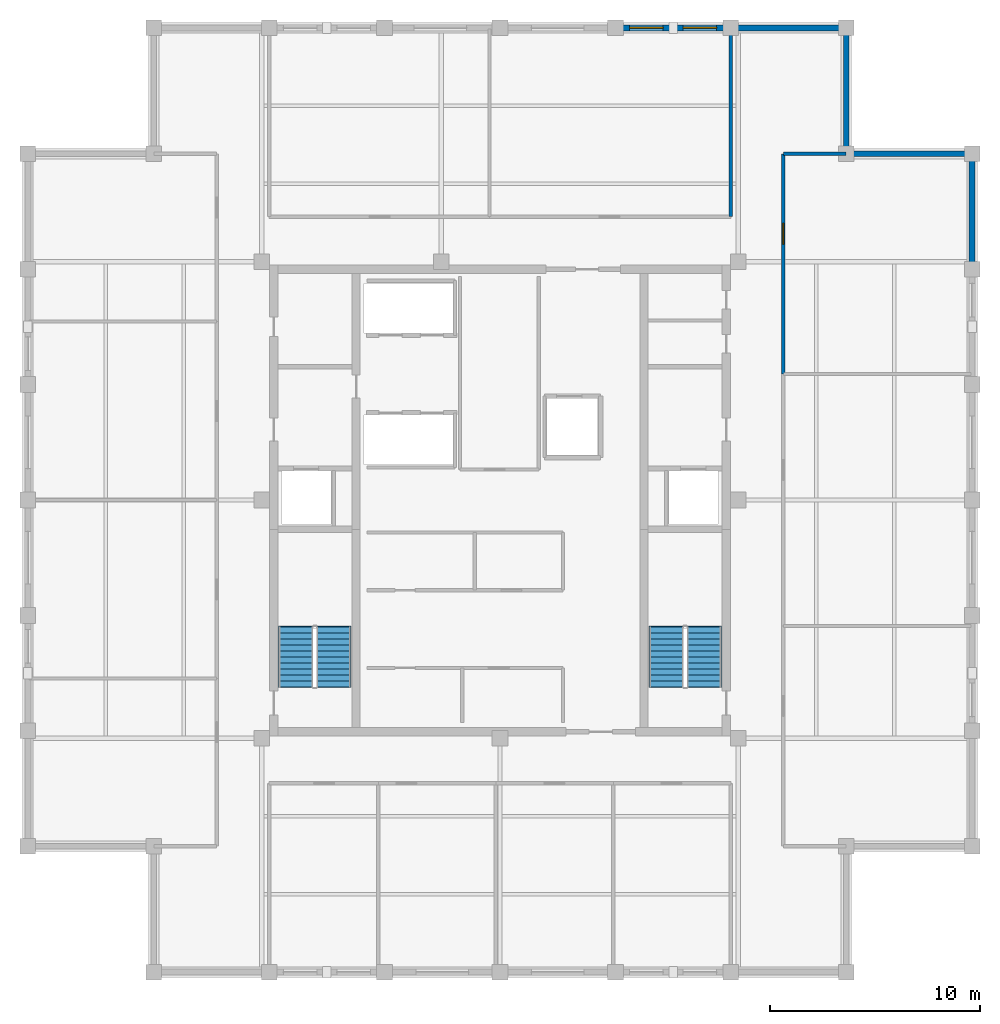
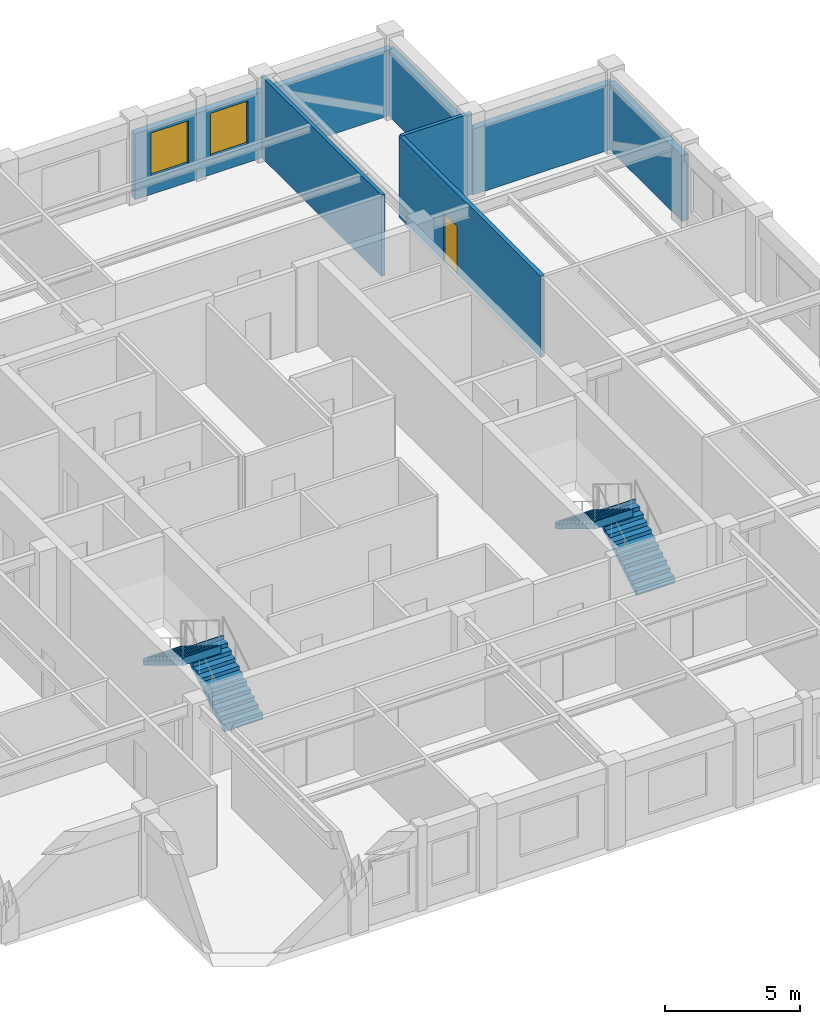
# One storey, part 5 of 6: 8 walls, 4 stair flights, 2 windows, 1 door, 3 openings, 2 elements without a shape of their own.
"""IFC4 building model written with IfcOpenShell, lengths in metres."""

import ifcopenshell
import ifcopenshell.guid

model = None  # the IFC model being written
_history = None  # IfcOwnerHistory: only IFC2X3 demands one
_inside = {}  # id of a spatial element -> (the spatial element, [elements in it])
_under = {}  # id of a project, library or spatial element -> (it, [spatial elements below it])
_declared = {}  # id of a project -> (the project, [libraries it declares])
_typed = {}  # id of a type object -> (the type object, [elements of that type])
_made_of = {}  # id of a material, layer set ... -> (it, [elements and type objects made of it])


def new_model(schema):
    """Start an empty IFC model of exactly this schema.

    Asked for "IFC4X3", IfcOpenShell would pick the latest addendum, in which some entities
    have other attributes; the version numbers below select the first issue.
    IFC2X3 requires an IfcOwnerHistory on every rooted entity: one is made here for all.
    """
    global model, _history
    if schema == "IFC4X3":
        model = ifcopenshell.file(schema_version=(4, 3, 0, 0))
    else:
        model = ifcopenshell.file(schema=schema)
    _inside.clear()
    _under.clear()
    _declared.clear()
    _typed.clear()
    _made_of.clear()
    _history = None
    if model.schema == "IFC2X3":
        org = make("IfcOrganization", Name="unknown")
        user = make(
            "IfcPersonAndOrganization",
            ThePerson=make("IfcPerson", FamilyName="unknown"),
            TheOrganization=org,
        )
        app = make(
            "IfcApplication",
            ApplicationDeveloper=org,
            Version="unknown",
            ApplicationFullName="unknown",
            ApplicationIdentifier="unknown",
        )
        _history = make(
            "IfcOwnerHistory",
            OwningUser=user,
            OwningApplication=app,
            ChangeAction="ADDED",
            CreationDate=0,
        )
    return model


def make(cls, **values):
    """One entity of the class cls with the attributes given. An attribute that is None is left unset."""
    return model.create_entity(
        cls, **{name: value for name, value in values.items() if value is not None}
    )


def rooted(cls, **values):
    """An entity with a GlobalId (a new one), such as an element, a storey or a relation."""
    return make(cls, GlobalId=ifcopenshell.guid.new(), OwnerHistory=_history, **values)


def si_unit(unit_type, name, prefix=None):
    """IfcSIUnit, for example si_unit("LENGTHUNIT", "METRE", prefix="MILLI")."""
    return make("IfcSIUnit", UnitType=unit_type, Prefix=prefix, Name=name)


def assignment(units):
    """IfcUnitAssignment: the units of a project."""
    return None if units is None else make("IfcUnitAssignment", Units=units)


def point(xyz):
    """IfcCartesianPoint."""
    return None if xyz is None else make("IfcCartesianPoint", Coordinates=xyz)


def direction(xyz):
    """IfcDirection."""
    return None if xyz is None else make("IfcDirection", DirectionRatios=xyz)


def frame(location, z_axis=None, x_axis=None):
    """IfcAxis2Placement3D, a coordinate frame: its origin and axes. An axis left out is left unset."""
    return make(
        "IfcAxis2Placement3D",
        Location=point(location),
        Axis=direction(z_axis),
        RefDirection=direction(x_axis),
    )


def frame_2d(location, x_axis=None):
    """IfcAxis2Placement2D, a coordinate frame in the plane: its origin and x axis."""
    return make(
        "IfcAxis2Placement2D", Location=point(location), RefDirection=direction(x_axis)
    )


def origin():
    """The frame at (0, 0, 0) with its axes left unset."""
    return frame((0.0, 0.0, 0.0))


def place(relative_to, where):
    """IfcLocalPlacement: puts the frame where relative to a parent placement (None: the world)."""
    return make(
        "IfcLocalPlacement", PlacementRelTo=relative_to, RelativePlacement=where
    )


def context(
    kind, dimensions, precision=None, world=None, true_north=None, identifier=None
):
    """IfcGeometricRepresentationContext, for example the 3D "Model" context."""
    return make(
        "IfcGeometricRepresentationContext",
        ContextIdentifier=identifier,
        ContextType=kind,
        CoordinateSpaceDimension=dimensions,
        Precision=precision,
        WorldCoordinateSystem=world,
        TrueNorth=true_north,
    )


def subcontext(parent, identifier, kind, view, scale=None):
    """IfcGeometricRepresentationSubContext, for example "Body" below "Model"."""
    return make(
        "IfcGeometricRepresentationSubContext",
        ContextIdentifier=identifier,
        ContextType=kind,
        ParentContext=parent,
        TargetScale=scale,
        TargetView=view,
    )


def project(units=None, contexts=None):
    """IfcProject with its units and contexts."""
    return rooted(
        "IfcProject",
        Name="project",
        RepresentationContexts=contexts,
        UnitsInContext=assignment(units),
    )


def spatial(cls, under=None, at=None, **own):
    """A site, building, storey or space (cls), placed at a placement, below another one or the project."""
    s = rooted(cls, ObjectPlacement=at, **own)
    if under is not None:
        _under.setdefault(under.id(), (under, []))[1].append(s)
    return s


def polyline(points):
    """IfcPolyline through the points."""
    return make("IfcPolyline", Points=[point(p) for p in points])


def profile(cls, at=None, kind="AREA", **sizes):
    """A parametric profile (cls). Its sizes go by their IFC names, for example OverallWidth=200.0."""
    return make(cls, ProfileType=kind, Position=at, **sizes)


def rectangle(**sizes):
    """IfcRectangleProfileDef."""
    return profile("IfcRectangleProfileDef", **sizes)


def outline(outer, holes=None, kind="AREA"):
    """IfcArbitraryClosedProfileDef: a profile drawn as a closed curve; with holes, ...WithVoids."""
    if holes is None:
        return make("IfcArbitraryClosedProfileDef", ProfileType=kind, OuterCurve=outer)
    return make(
        "IfcArbitraryProfileDefWithVoids",
        ProfileType=kind,
        OuterCurve=outer,
        InnerCurves=holes,
    )


def extrude(swept, where, along, depth):
    """IfcExtrudedAreaSolid: the profile swept, set in the frame where, extruded along a direction by depth."""
    return make(
        "IfcExtrudedAreaSolid",
        SweptArea=swept,
        Position=where,
        ExtrudedDirection=direction(along),
        Depth=depth,
    )


def shape(context_of_items, identifier, shape_type, items):
    """IfcShapeRepresentation: the items that make up one representation, for example the "Body"."""
    return make(
        "IfcShapeRepresentation",
        ContextOfItems=context_of_items,
        RepresentationIdentifier=identifier,
        RepresentationType=shape_type,
        Items=items,
    )


def material(Name=None, Category=None):
    """IfcMaterial."""
    return make("IfcMaterial", Name=Name, Category=Category)


def layer(
    of_material, thickness, ventilated=None, Name=None, Category=None, Priority=None
):
    """IfcMaterialLayer: one layer of a wall or slab, of a material (None: an air gap)."""
    return make(
        "IfcMaterialLayer",
        Material=of_material,
        LayerThickness=thickness,
        IsVentilated=ventilated,
        Name=Name,
        Category=Category,
        Priority=Priority,
    )


def layer_set(layers, Name=None):
    """IfcMaterialLayerSet."""
    return make("IfcMaterialLayerSet", MaterialLayers=layers, LayerSetName=Name)


def made_of(thing, what):
    """Note that an element or type object is made of a material, layer set ...; save() writes the relation."""
    if what is not None:
        _made_of.setdefault(what.id(), (what, []))[1].append(thing)
    return thing


def type_object(cls, material=None, **own):
    """A type object (cls), such as IfcWallType, which elements share."""
    return made_of(rooted(cls, **own), material)


def element(
    cls,
    number,
    at=None,
    inside=None,
    cuts=None,
    type_object=None,
    material=None,
    context=None,
    identifier="Body",
    shape_type=None,
    held_by="IfcProductDefinitionShape",
    body=None,
    shapes=None,
    **own,
):
    """One element of the class cls, such as IfcWall. Its Tag is "e" and its number.

    at: its placement. inside: the storey or other place that contains it. cuts: it is an
    opening in that element (IfcRelVoidsElement). A single representation is given by context,
    identifier, shape_type and body (its items); several are given by shapes. held_by: the class
    of the entity that holds the representations. save() writes the other relations.
    """
    e = rooted(cls, Tag="e%d" % number, ObjectPlacement=at, **own)
    if body is not None:
        shapes = [shape(context, identifier, shape_type, body)]
    if shapes is not None:
        e.Representation = make(held_by, Representations=shapes)
    if inside is not None:
        _inside.setdefault(inside.id(), (inside, []))[1].append(e)
    if cuts is not None:
        rooted(
            "IfcRelVoidsElement", RelatingBuildingElement=cuts, RelatedOpeningElement=e
        )
    if type_object is not None:
        _typed.setdefault(type_object.id(), (type_object, []))[1].append(e)
    return made_of(e, material)


def fill(opening, filler):
    """IfcRelFillsElement: the door or window that sits in an opening."""
    return rooted(
        "IfcRelFillsElement",
        RelatingOpeningElement=opening,
        RelatedBuildingElement=filler,
    )


def aggregate(whole, parts):
    """IfcRelAggregates: a whole, such as a stair, and the parts it consists of."""
    return rooted("IfcRelAggregates", RelatingObject=whole, RelatedObjects=parts)


def save(model, path):
    """Write the relations noted so far, then the file.

    IfcRelAggregates (storeys below a building ...), IfcRelContainedInSpatialStructure (elements
    in a storey), IfcRelDefinesByType, IfcRelAssociatesMaterial and IfcRelDeclares: one each for
    every whole, place, type object, material and project.
    """
    for whole, parts in _under.values():
        aggregate(whole, parts)
    for where, things in _inside.values():
        rooted(
            "IfcRelContainedInSpatialStructure",
            RelatedElements=things,
            RelatingStructure=where,
        )
    for kind, things in _typed.values():
        rooted("IfcRelDefinesByType", RelatedObjects=things, RelatingType=kind)
    for what, things in _made_of.values():
        rooted("IfcRelAssociatesMaterial", RelatedObjects=things, RelatingMaterial=what)
    for by, libraries in _declared.values():
        rooted("IfcRelDeclares", RelatingContext=by, RelatedDefinitions=libraries)
    model.write(path)


model = new_model("IFC4")

# Units and contexts
model_context = context("Model", 3, precision=1e-05, world=origin(), true_north=direction((0.0, 1.0)))
body_context = subcontext(model_context, "Body", "Model", "MODEL_VIEW")
ifc_project = project(units=[si_unit("LENGTHUNIT", "METRE"), si_unit("AREAUNIT", "SQUARE_METRE"), si_unit("VOLUMEUNIT", "CUBIC_METRE"), si_unit("PLANEANGLEUNIT", "RADIAN"), si_unit("MASSUNIT", "GRAM", prefix="KILO")], contexts=[model_context])

# Site, building, storey
site_placement = place(None, origin())
site = spatial("IfcSite", under=ifc_project, at=site_placement, CompositionType="ELEMENT")
building_placement = place(site_placement, origin())
building = spatial("IfcBuilding", under=site, at=building_placement, Name="Nhamokura Convention Tower", CompositionType="ELEMENT")
storey_placement = place(building_placement, frame((0.0, 0.0, 266.0)))
storey = spatial("IfcBuildingStorey", under=building, at=storey_placement, Name="L65", CompositionType="ELEMENT", Elevation=266.0)

# Wall, openings, windows
ifc_material_1 = material(Name="Bronze-pigmented precast concrete C45/55", Category="concrete")
ifc_layer_1 = layer(ifc_material_1, 0.280029296875)
ifc_layer_set_1 = layer_set([ifc_layer_1], Name="BronzePrecastSpandrel_280")
wall_type_1 = type_object("IfcWallType", Name="BronzePrecastSpandrel_280", PredefinedType="USERDEFINED", material=ifc_layer_set_1)
wall_1_placement = place(storey_placement, frame((37.5, 54.5, 0.0), z_axis=(0.0, 0.0, 1.0), x_axis=(1.0, 0.0, 0.0)))
wall_1 = element("IfcWall", 1, at=wall_1_placement, inside=storey, type_object=wall_type_1, Name="L65 Masonry-Frame Wall NORTH 4", ObjectType="SPANDREL_WALL", PredefinedType="USERDEFINED", context=body_context, shape_type="SweptSolid", body=[
    extrude(rectangle(XDim=5.5, YDim=0.280029296875, at=frame_2d((2.75, 0.0))), origin(), (0.0, 0.0, 1.0), 2.985107421875),
])
opening_1_placement = place(wall_1_placement, frame((0.675048828125, 0.0, 0.85009765625)))
opening_1 = element("IfcOpeningElement", 2, at=opening_1_placement, cuts=wall_1, Name="Opening W-11", PredefinedType="OPENING", context=body_context, shape_type="SweptSolid", body=[
    extrude(rectangle(XDim=1.60009765625, YDim=1.93505859375, at=frame_2d((0.800048828125, 0.967529296875))), frame((0.0, 0.14990234375, 0.0), z_axis=(0.0, -1.0, 0.0), x_axis=(1.0, 0.0, 0.0)), (0.0, 0.0, 1.0), 0.300048828125),
])
opening_2_placement = place(wall_1_placement, frame((3.22509765625, 0.0, 0.85009765625)))
opening_2 = element("IfcOpeningElement", 3, at=opening_2_placement, cuts=wall_1, Name="Opening W-11", PredefinedType="OPENING", context=body_context, shape_type="SweptSolid", body=[
    extrude(rectangle(XDim=1.60009765625, YDim=1.93505859375, at=frame_2d((0.800048828125, 0.967529296875))), frame((0.0, 0.14990234375, 0.0), z_axis=(0.0, -1.0, 0.0), x_axis=(1.0, 0.0, 0.0)), (0.0, 0.0, 1.0), 0.300048828125),
])
ifc_material_2 = material(Name="Solar-control bronze low-E double glass", Category="glass")
window_type = type_object("IfcWindowType", Name="NotchCornerWindow_1600", PartitioningType="SINGLE_PANEL", PredefinedType="WINDOW", material=ifc_material_2)
window_1_placement = place(opening_1_placement, origin())
window_1 = element("IfcWindow", 4, at=window_1_placement, inside=storey, type_object=window_type, Name="L65 Facade Window NORTH 4-1", OverallHeight=1.93505859375, OverallWidth=1.60009765625, PartitioningType="SINGLE_PANEL", PredefinedType="WINDOW", context=body_context, shape_type="SweptSolid", body=[
    extrude(rectangle(XDim=1.60009765625, YDim=1.93505859375, at=frame_2d((0.800048828125, 0.967529296875))), frame((0.0, 0.030029296875, 0.0), z_axis=(0.0, -1.0, 0.0), x_axis=(1.0, 0.0, 0.0)), (0.0, 0.0, 1.0), 0.06005859375),
])
fill(opening_1, window_1)
window_2_placement = place(opening_2_placement, origin())
window_2 = element("IfcWindow", 5, at=window_2_placement, inside=storey, type_object=window_type, Name="L65 Facade Window NORTH 4-2", OverallHeight=1.93505859375, OverallWidth=1.60009765625, PartitioningType="SINGLE_PANEL", PredefinedType="WINDOW", context=body_context, shape_type="SweptSolid", body=[
    extrude(rectangle(XDim=1.60009765625, YDim=1.93505859375, at=frame_2d((0.800048828125, 0.967529296875))), frame((0.0, 0.030029296875, 0.0), z_axis=(0.0, -1.0, 0.0), x_axis=(1.0, 0.0, 0.0)), (0.0, 0.0, 1.0), 0.06005859375),
])
fill(opening_2, window_2)

# Walls
for number, where, z_axis, x_axis, name in (
    (6, (43.0, 54.5, 0.0), (0.0, 0.0, 1.0), (1.0, 0.0, 0.0), "L65 Braced-Bay Precast Wall NORTH 5"),
    (7, (54.5, 48.5, 0.0), (0.0, 0.0, 1.0), (0.0, -1.0, 0.0), "L65 Braced-Bay Precast Wall EAST 5"),
):
    element("IfcWall", number, at=place(storey_placement, frame(where, z_axis=z_axis, x_axis=x_axis)), inside=storey, type_object=wall_type_1, Name=name, ObjectType="SPANDREL_WALL", PredefinedType="USERDEFINED", context=body_context, shape_type="SweptSolid", body=[
        extrude(rectangle(XDim=5.5, YDim=0.280029296875, at=frame_2d((2.75, 0.0))), origin(), (0.0, 0.0, 1.0), 2.985107421875),
    ])
for number, where, z_axis, x_axis, name in (
    (8, (48.5, 48.5, 0.0), (0.0, 0.0, 1.0), (1.0, 0.0, 0.0), "L65 Notched Corner Wall NE1"),
    (9, (48.5, 54.5, 0.0), (0.0, 0.0, 1.0), (0.0, -1.0, 0.0), "L65 Notched Corner Wall NE2"),
):
    element("IfcWall", number, at=place(storey_placement, frame(where, z_axis=z_axis, x_axis=x_axis)), inside=storey, type_object=wall_type_1, Name=name, ObjectType="SPANDREL_WALL", PredefinedType="USERDEFINED", context=body_context, shape_type="SweptSolid", body=[
        extrude(rectangle(XDim=6.0, YDim=0.280029296875, at=frame_2d((3.0, 0.0))), origin(), (0.0, 0.0, 1.0), 2.985107421875),
    ])

# Wall, opening, door
ifc_material_3 = material(Name="Fire-rated gypsum and masonry partition", Category="masonry")
ifc_layer_2 = layer(ifc_material_3, 0.179931640625)
ifc_layer_set_2 = layer_set([ifc_layer_2], Name="CorridorRatedWall_180")
wall_type_2 = type_object("IfcWallType", Name="CorridorRatedWall_180", PredefinedType="STANDARD", material=ifc_layer_set_2)
wall_2_placement = place(storey_placement, frame((45.5, 38.0, 0.0), z_axis=(0.0, 0.0, 1.0), x_axis=(0.0, 1.0, 0.0)))
wall_2 = element("IfcWall", 10, at=wall_2_placement, inside=storey, type_object=wall_type_2, Name="L65 Wall INT-L65-CW-E02", PredefinedType="STANDARD", context=body_context, shape_type="SweptSolid", body=[
    extrude(rectangle(XDim=10.5, YDim=0.179931640625, at=frame_2d((5.25, 0.0))), origin(), (0.0, 0.0, 1.0), 3.68505859375),
])
opening_3_placement = place(wall_2_placement, frame((6.199951171875, 0.0, 0.0)))
opening_3 = element("IfcOpeningElement", 11, at=opening_3_placement, cuts=wall_2, Name="Opening D-08", PredefinedType="OPENING", context=body_context, shape_type="SweptSolid", body=[
    extrude(rectangle(XDim=0.97998046875, YDim=2.199951171875, at=frame_2d((0.489990234375, 1.10009765625))), frame((0.0, 0.099853515625, 0.0), z_axis=(0.0, -1.0, 0.0), x_axis=(1.0, 0.0, 0.0)), (0.0, 0.0, 1.0), 0.199951171875),
])
ifc_material_4 = material(Name="Solid oak hardwood", Category="wood")
door_type = type_object("IfcDoorType", Name="OfficeEntryDoor_980", OperationType="NOTDEFINED", PredefinedType="DOOR", material=ifc_material_4)
door_placement = place(opening_3_placement, origin())
door = element("IfcDoor", 12, at=door_placement, inside=storey, type_object=door_type, Name="L65 Private Office E03 Door", OperationType="SINGLE_SWING_LEFT", OverallHeight=2.199951171875, OverallWidth=0.97998046875, PredefinedType="DOOR", context=body_context, shape_type="SweptSolid", body=[
    extrude(rectangle(XDim=0.97998046875, YDim=2.199951171875, at=frame_2d((0.489990234375, 1.10009765625))), frame((0.0, 0.02490234375, 0.0), z_axis=(0.0, -1.0, 0.0), x_axis=(1.0, 0.0, 0.0)), (0.0, 0.0, 1.0), 0.050048828125),
])
fill(opening_3, door)

# Walls
ifc_material_5 = material(Name="Acoustic gypsum stud partition", Category="masonry")
ifc_layer_3 = layer(ifc_material_5, 0.14990234375)
ifc_layer_set_3 = layer_set([ifc_layer_3], Name="InteriorPartition_150")
wall_type_3 = type_object("IfcWallType", Name="InteriorPartition_150", PredefinedType="STANDARD", material=ifc_layer_set_3)
wall_3_placement = place(storey_placement, frame((43.0, 45.5, 0.0), z_axis=(0.0, 0.0, 1.0), x_axis=(0.0, 1.0, 0.0)))
element("IfcWall", 13, at=wall_3_placement, inside=storey, type_object=wall_type_3, Name="L65 Wall INT-L65-RWR-N", PredefinedType="STANDARD", context=body_context, shape_type="SweptSolid", body=[
    extrude(rectangle(XDim=8.93994140625, YDim=0.14990234375, at=frame_2d((4.469970703125, 0.0))), origin(), (0.0, 0.0, 1.0), 3.68505859375),
])
wall_4_placement = place(storey_placement, frame((45.5, 48.5, 0.0), z_axis=(0.0, 0.0, 1.0), x_axis=(1.0, 0.0, 0.0)))
element("IfcWall", 14, at=wall_4_placement, inside=storey, type_object=wall_type_3, Name="L65 Wall INT-L65-VSTP-EN", PredefinedType="STANDARD", context=body_context, shape_type="SweptSolid", body=[
    extrude(rectangle(XDim=3.0, YDim=0.14990234375, at=frame_2d((1.5, 0.0))), origin(), (0.0, 0.0, 1.0), 3.68505859375),
])

# Stair, stair flights
ifc_material_6 = material(Name="Concrete C40/50", Category="concrete")
stair_type = type_object("IfcStairType", Name="TowerCoreStair_1650", PredefinedType="HALF_TURN_STAIR", material=ifc_material_6)
stair_1_placement = place(storey_placement, origin())
stair_1 = element("IfcStair", 15, at=stair_1_placement, inside=storey, type_object=stair_type, Name="L65 West Core Smokeproof Stair ST-01", PredefinedType="HALF_TURN_STAIR")
ifc_material_7 = material(Name="Concrete C40/50", Category="concrete")
stair_flight_type = type_object("IfcStairFlightType", Name="TowerCoreStair_1650_Flight", PredefinedType="STRAIGHT", material=ifc_material_7)
stair_flight_1_placement = place(storey_placement, frame((24.074951171875, 23.10009765625, 0.0), z_axis=(0.0, 0.0, 1.0), x_axis=(0.0, 1.0, 0.0)))
stair_flight_1 = element("IfcStairFlight", 16, at=stair_flight_1_placement, type_object=stair_flight_type, Name="ST-01 flight 1", NumberOfRisers=11, NumberOfTreads=10, PredefinedType="STRAIGHT", RiserHeight=0.175, TreadLength=0.285, context=body_context, shape_type="SweptSolid", body=[
    extrude(outline(polyline([(-0.0419921875, 0.0), (0.0, 0.175048828125), (0.284912109375, 0.175048828125), (0.284912109375, 0.35009765625), (0.570068359375, 0.35009765625), (0.570068359375, 0.52490234375), (0.85498046875, 0.52490234375), (0.85498046875, 0.699951171875), (1.139892578125, 0.699951171875), (1.139892578125, 0.875), (1.425048828125, 0.875), (1.425048828125, 1.050048828125), (1.7099609375, 1.050048828125), (1.7099609375, 1.22509765625), (1.9951171875, 1.22509765625), (1.9951171875, 1.39990234375), (2.280029296875, 1.39990234375), (2.280029296875, 1.574951171875), (2.56494140625, 1.574951171875), (2.56494140625, 1.75), (2.85009765625, 1.75), (2.85009765625, 1.925048828125), (2.89208984375, 1.925048828125), (2.89208984375, 1.573974609375), (2.85009765625, 1.573974609375), (0.286376953125, 0.0), (0.02001953125, -0.1298828125), (-0.0419921875, -0.1298828125), (-0.0419921875, 0.0)])), frame((0.0, 0.824951171875, 0.0), z_axis=(0.0, -1.0, 0.0), x_axis=(1.0, 0.0, 0.0)), (0.0, 0.0, 1.0), 1.64990234375),
])
stair_flight_2_placement = place(storey_placement, frame((22.27490234375, 25.949951171875, 1.925048828125), z_axis=(0.0, 0.0, 1.0), x_axis=(0.0, -1.0, 0.0)))
stair_flight_2 = element("IfcStairFlight", 17, at=stair_flight_2_placement, type_object=stair_flight_type, Name="ST-01 flight 2", NumberOfRisers=11, NumberOfTreads=10, PredefinedType="STRAIGHT", RiserHeight=0.175, TreadLength=0.285, context=body_context, shape_type="SweptSolid", body=[
    extrude(outline(polyline([(-0.0419921875, 0.0), (0.0, 0.175048828125), (0.284912109375, 0.175048828125), (0.284912109375, 0.35009765625), (0.570068359375, 0.35009765625), (0.570068359375, 0.52490234375), (0.85498046875, 0.52490234375), (0.85498046875, 0.699951171875), (1.139892578125, 0.699951171875), (1.139892578125, 0.875), (1.425048828125, 0.875), (1.425048828125, 1.050048828125), (1.7099609375, 1.050048828125), (1.7099609375, 1.22509765625), (1.9951171875, 1.22509765625), (1.9951171875, 1.39990234375), (2.280029296875, 1.39990234375), (2.280029296875, 1.574951171875), (2.56494140625, 1.574951171875), (2.56494140625, 1.75), (2.85009765625, 1.75), (2.85009765625, 1.925048828125), (2.89208984375, 1.925048828125), (2.89208984375, 1.573974609375), (2.85009765625, 1.573974609375), (0.286376953125, 0.0), (0.02001953125, -0.1298828125), (-0.0419921875, -0.1298828125), (-0.0419921875, 0.0)])), frame((0.0, 0.824951171875, 0.0), z_axis=(0.0, -1.0, 0.0), x_axis=(1.0, 0.0, 0.0)), (0.0, 0.0, 1.0), 1.64990234375),
])
aggregate(stair_1, [stair_flight_1, stair_flight_2])

stair_2_placement = place(storey_placement, origin())
stair_2 = element("IfcStair", 18, at=stair_2_placement, inside=storey, type_object=stair_type, Name="L65 East Core Smokeproof Stair ST-02", PredefinedType="HALF_TURN_STAIR")
stair_flight_3_placement = place(storey_placement, frame((41.72509765625, 23.10009765625, 0.0), z_axis=(0.0, 0.0, 1.0), x_axis=(0.0, 1.0, 0.0)))
stair_flight_3 = element("IfcStairFlight", 19, at=stair_flight_3_placement, type_object=stair_flight_type, Name="ST-02 flight 1", NumberOfRisers=11, NumberOfTreads=10, PredefinedType="STRAIGHT", RiserHeight=0.175, TreadLength=0.285, context=body_context, shape_type="SweptSolid", body=[
    extrude(outline(polyline([(-0.0419921875, 0.0), (0.0, 0.175048828125), (0.284912109375, 0.175048828125), (0.284912109375, 0.35009765625), (0.570068359375, 0.35009765625), (0.570068359375, 0.52490234375), (0.85498046875, 0.52490234375), (0.85498046875, 0.699951171875), (1.139892578125, 0.699951171875), (1.139892578125, 0.875), (1.425048828125, 0.875), (1.425048828125, 1.050048828125), (1.7099609375, 1.050048828125), (1.7099609375, 1.22509765625), (1.9951171875, 1.22509765625), (1.9951171875, 1.39990234375), (2.280029296875, 1.39990234375), (2.280029296875, 1.574951171875), (2.56494140625, 1.574951171875), (2.56494140625, 1.75), (2.85009765625, 1.75), (2.85009765625, 1.925048828125), (2.89208984375, 1.925048828125), (2.89208984375, 1.573974609375), (2.85009765625, 1.573974609375), (0.286376953125, 0.0), (0.02001953125, -0.1298828125), (-0.0419921875, -0.1298828125), (-0.0419921875, 0.0)])), frame((0.0, 0.824951171875, 0.0), z_axis=(0.0, -1.0, 0.0), x_axis=(1.0, 0.0, 0.0)), (0.0, 0.0, 1.0), 1.64990234375),
])
stair_flight_4_placement = place(storey_placement, frame((39.925048828125, 25.949951171875, 1.925048828125), z_axis=(0.0, 0.0, 1.0), x_axis=(0.0, -1.0, 0.0)))
stair_flight_4 = element("IfcStairFlight", 20, at=stair_flight_4_placement, type_object=stair_flight_type, Name="ST-02 flight 2", NumberOfRisers=11, NumberOfTreads=10, PredefinedType="STRAIGHT", RiserHeight=0.175, TreadLength=0.285, context=body_context, shape_type="SweptSolid", body=[
    extrude(outline(polyline([(-0.0419921875, 0.0), (0.0, 0.175048828125), (0.284912109375, 0.175048828125), (0.284912109375, 0.35009765625), (0.570068359375, 0.35009765625), (0.570068359375, 0.52490234375), (0.85498046875, 0.52490234375), (0.85498046875, 0.699951171875), (1.139892578125, 0.699951171875), (1.139892578125, 0.875), (1.425048828125, 0.875), (1.425048828125, 1.050048828125), (1.7099609375, 1.050048828125), (1.7099609375, 1.22509765625), (1.9951171875, 1.22509765625), (1.9951171875, 1.39990234375), (2.280029296875, 1.39990234375), (2.280029296875, 1.574951171875), (2.56494140625, 1.574951171875), (2.56494140625, 1.75), (2.85009765625, 1.75), (2.85009765625, 1.925048828125), (2.89208984375, 1.925048828125), (2.89208984375, 1.573974609375), (2.85009765625, 1.573974609375), (0.286376953125, 0.0), (0.02001953125, -0.1298828125), (-0.0419921875, -0.1298828125), (-0.0419921875, 0.0)])), frame((0.0, 0.824951171875, 0.0), z_axis=(0.0, -1.0, 0.0), x_axis=(1.0, 0.0, 0.0)), (0.0, 0.0, 1.0), 1.64990234375),
])
aggregate(stair_2, [stair_flight_3, stair_flight_4])

save(model, "model.ifc")
